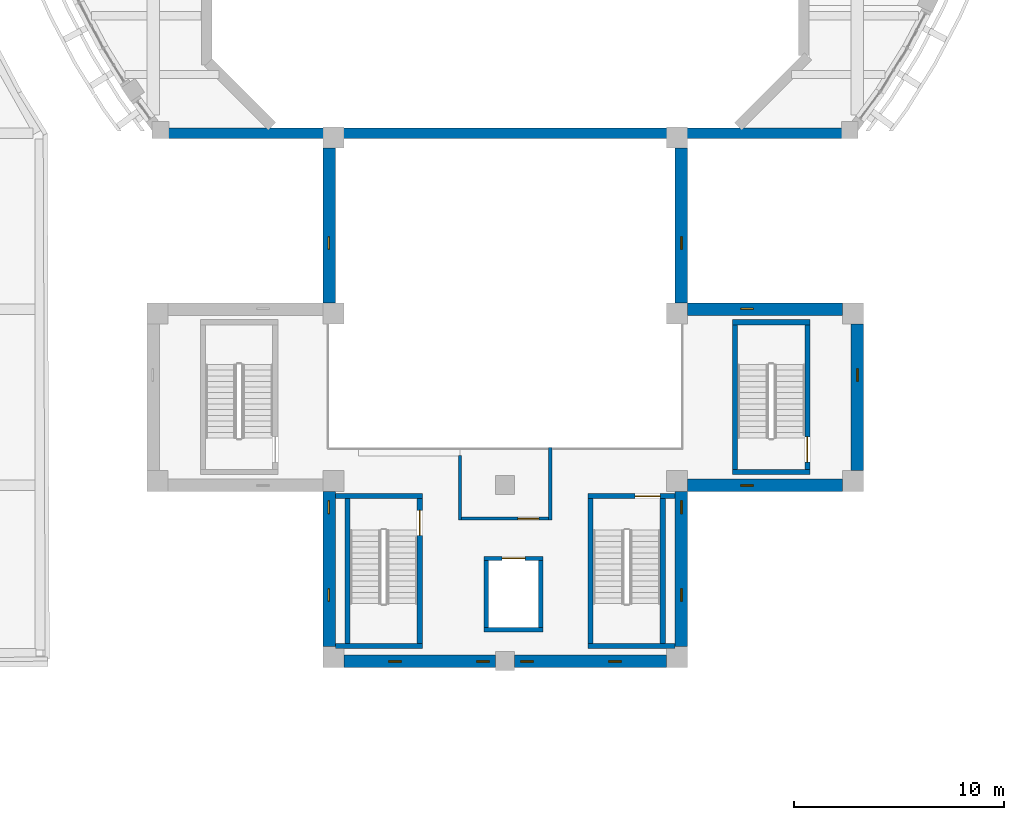
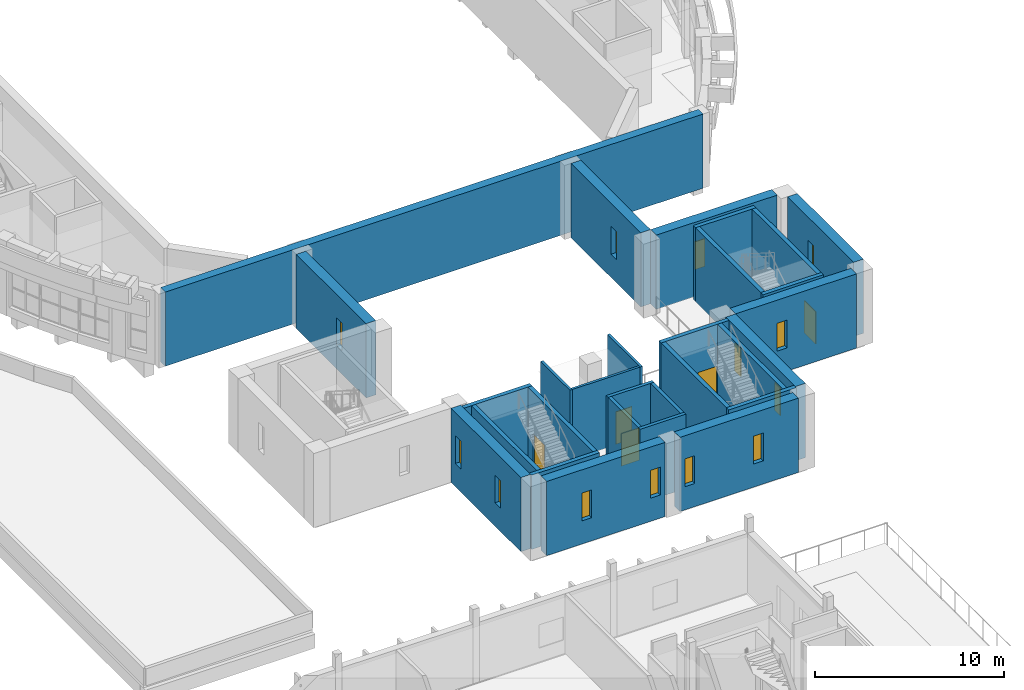
# One storey, part 13 of 79: 29 walls, 13 windows, 5 doors, 18 openings.
"""IFC4 building model written with IfcOpenShell, lengths in metres."""

from ifc_helpers import new_model, si_unit, direction, frame, frame_2d, origin, place, context, subcontext, project, spatial, rectangle, extrude, material, layer, layer_set, type_object, element, fill, save


model = new_model("IFC4")

# Units and contexts
model_context = context("Model", 3, precision=1e-05, world=origin(), true_north=direction((0.0, 1.0)))
body_context = subcontext(model_context, "Body", "Model", "MODEL_VIEW")
ifc_project = project(units=[si_unit("LENGTHUNIT", "METRE"), si_unit("AREAUNIT", "SQUARE_METRE"), si_unit("VOLUMEUNIT", "CUBIC_METRE"), si_unit("PLANEANGLEUNIT", "RADIAN"), si_unit("MASSUNIT", "GRAM", prefix="KILO")], contexts=[model_context])

# Site, building, storey
site_placement = place(None, origin())
site = spatial("IfcSite", under=ifc_project, at=site_placement, CompositionType="ELEMENT")
building_placement = place(site_placement, origin())
building = spatial("IfcBuilding", under=site, at=building_placement, Name="Larchfold Concert Hall", CompositionType="ELEMENT")
storey_placement = place(building_placement, frame((0.0, 0.0, 14.39990234375)))
storey = spatial("IfcBuildingStorey", under=building, at=storey_placement, Name="L03", CompositionType="ELEMENT", Elevation=14.39990234375)

# Walls
ifc_material_1 = material(Name="Plasterboard partition on steel studs", Category="steel")
ifc_layer_1 = layer(ifc_material_1, 0.14990234375)
ifc_layer_set_1 = layer_set([ifc_layer_1], Name="Plasterboard partition on steel studs")
wall_type_1 = type_object("IfcWallType", Name="Shaft and plant partition 150 EI 120", PredefinedType="PARTITIONING", material=ifc_layer_set_1)
wall_1_placement = place(storey_placement, frame((40.449951171875, 40.925048828125, 0.0), z_axis=(0.0, 0.0, 1.0), x_axis=(0.0, 1.0, 0.0)))
element("IfcWall", 1, at=wall_1_placement, inside=storey, type_object=wall_type_1, Name="Partition IW0010", PredefinedType="PARTITIONING", context=body_context, shape_type="SweptSolid", body=[
    extrude(rectangle(XDim=3.093994140625, YDim=0.14990234375, at=frame_2d((1.546875, 0.0))), origin(), (0.0, 0.0, 1.0), 4.52001953125),
])
wall_2_placement = place(storey_placement, frame((44.75, 44.39990234375, 0.0), z_axis=(0.0, 0.0, 1.0), x_axis=(0.0, -1.0, 0.0)))
element("IfcWall", 2, at=wall_2_placement, inside=storey, type_object=wall_type_1, Name="Partition IW0011", PredefinedType="PARTITIONING", context=body_context, shape_type="SweptSolid", body=[
    extrude(rectangle(XDim=3.474853515625, YDim=0.14990234375, at=frame_2d((1.7373046875, 0.0))), origin(), (0.0, 0.0, 1.0), 4.52001953125),
])

# Wall, opening, door
wall_3_placement = place(storey_placement, frame((44.675048828125, 41.0, 0.0), z_axis=(0.0, 0.0, 1.0), x_axis=(-1.0, 0.0, 0.0)))
wall_3 = element("IfcWall", 3, at=wall_3_placement, inside=storey, type_object=wall_type_1, Name="Partition IW0012", PredefinedType="PARTITIONING", context=body_context, shape_type="SweptSolid", body=[
    extrude(rectangle(XDim=4.150146484375, YDim=0.14990234375, at=frame_2d((2.0751953125, 0.0))), origin(), (0.0, 0.0, 1.0), 4.52001953125),
])
opening_1_placement = place(wall_3_placement, frame((0.465087890625, 0.0, 0.0)))
opening_1 = element("IfcOpeningElement", 4, at=opening_1_placement, cuts=wall_3, Name="Opening D-L03-106", PredefinedType="OPENING", context=body_context, shape_type="SweptSolid", body=[
    extrude(rectangle(XDim=1.0, YDim=2.10009765625, at=frame_2d((0.5, 1.050048828125))), frame((0.0, 0.0849609375, 0.0), z_axis=(0.0, -1.0, 0.0), x_axis=(1.0, 0.0, 0.0)), (0.0, 0.0, 1.0), 0.169921875),
])
ifc_material_2 = material(Name="Timber door leaf", Category="wood")
door_type_1 = type_object("IfcDoorType", Name="Store door 1000 x 2100 FD60", OperationType="SINGLE_SWING_LEFT", PredefinedType="DOOR", material=ifc_material_2)
door_1_placement = place(opening_1_placement, origin())
door_1 = element("IfcDoor", 5, at=door_1_placement, inside=storey, type_object=door_type_1, Name="Door D-L03-106", OperationType="SINGLE_SWING_RIGHT", OverallHeight=2.10009765625, OverallWidth=1.0, PredefinedType="DOOR", context=body_context, shape_type="SweptSolid", body=[
    extrude(rectangle(XDim=1.0, YDim=2.10009765625, at=frame_2d((0.5, 1.050048828125))), frame((0.0, 0.02490234375, 0.0), z_axis=(0.0, -1.0, 0.0), x_axis=(1.0, 0.0, 0.0)), (0.0, 0.0, 1.0), 0.050048828125),
])
fill(opening_1, door_1)

# Wall
ifc_material_3 = material(Name="Concrete C40/50", Category="concrete")
ifc_layer_2 = layer(ifc_material_3, 0.199951171875)
ifc_layer_set_2 = layer_set([ifc_layer_2], Name="Concrete C40/50")
wall_type_2 = type_object("IfcWallType", Name="Wall RC 200 lift shaft", PredefinedType="SOLIDWALL", material=ifc_layer_set_2)
wall_4_placement = place(storey_placement, frame((41.60009765625, 35.7001953125, 0.0), z_axis=(0.0, 0.0, 1.0), x_axis=(1.0, 0.0, 0.0)))
element("IfcWall", 6, at=wall_4_placement, inside=storey, type_object=wall_type_2, Name="Wall W0126", PredefinedType="SOLIDWALL", context=body_context, shape_type="SweptSolid", body=[
    extrude(rectangle(XDim=2.7998046875, YDim=0.199951171875, at=frame_2d((1.39990234375, 0.0))), origin(), (0.0, 0.0, 1.0), 4.800048828125),
])

# Wall, opening, door
wall_5_placement = place(storey_placement, frame((41.60009765625, 39.099853515625, 0.0), z_axis=(0.0, 0.0, 1.0), x_axis=(1.0, 0.0, 0.0)))
wall_5 = element("IfcWall", 7, at=wall_5_placement, inside=storey, type_object=wall_type_2, Name="Wall W0127", PredefinedType="SOLIDWALL", context=body_context, shape_type="SweptSolid", body=[
    extrude(rectangle(XDim=2.7998046875, YDim=0.199951171875, at=frame_2d((1.39990234375, 0.0))), origin(), (0.0, 0.0, 1.0), 4.800048828125),
])
opening_2_placement = place(wall_5_placement, frame((0.849853515625, 0.0, 0.0)))
opening_2 = element("IfcOpeningElement", 8, at=opening_2_placement, cuts=wall_5, Name="Opening LD-LF05", PredefinedType="OPENING", context=body_context, shape_type="SweptSolid", body=[
    extrude(rectangle(XDim=1.10009765625, YDim=2.10009765625, at=frame_2d((0.550048828125, 1.050048828125))), frame((0.0, 0.10986328125, 0.0), z_axis=(0.0, -1.0, 0.0), x_axis=(1.0, 0.0, 0.0)), (0.0, 0.0, 1.0), 0.219970703125),
])
ifc_material_4 = material(Name="Stainless steel sliding leaves", Category="steel")
door_type_2 = type_object("IfcDoorType", Name="Lift landing door sliding 1100 x 2100", OperationType="SLIDING_TO_LEFT", PredefinedType="DOOR", material=ifc_material_4)
door_2_placement = place(opening_2_placement, origin())
door_2 = element("IfcDoor", 9, at=door_2_placement, inside=storey, type_object=door_type_2, Name="Lift landing door LF05", OperationType="SLIDING_TO_LEFT", OverallHeight=2.10009765625, OverallWidth=1.10009765625, PredefinedType="DOOR", context=body_context, shape_type="SweptSolid", body=[
    extrude(rectangle(XDim=1.10009765625, YDim=2.10009765625, at=frame_2d((0.550048828125, 1.050048828125))), frame((0.0, 0.02490234375, 0.0), z_axis=(0.0, -1.0, 0.0), x_axis=(1.0, 0.0, 0.0)), (0.0, 0.0, 1.0), 0.050048828125),
])
fill(opening_2, door_2)

# Walls
for number, where, z_axis, x_axis, name in (
    (10, (41.7001953125, 35.800048828125, 0.0), (0.0, 0.0, 1.0), (0.0, 1.0, 0.0), "Wall W0128"),
    (11, (44.2998046875, 35.800048828125, 0.0), (0.0, 0.0, 1.0), (0.0, 1.0, 0.0), "Wall W0129"),
):
    element("IfcWall", number, at=place(storey_placement, frame(where, z_axis=z_axis, x_axis=x_axis)), inside=storey, type_object=wall_type_2, Name=name, PredefinedType="SOLIDWALL", context=body_context, shape_type="SweptSolid", body=[
        extrude(rectangle(XDim=3.199951171875, YDim=0.199951171875, at=frame_2d((1.60009765625, 0.0))), origin(), (0.0, 0.0, 1.0), 4.800048828125),
    ])
ifc_material_5 = material(Name="Concrete C40/50", Category="concrete")
ifc_layer_3 = layer(ifc_material_5, 0.25)
ifc_layer_set_3 = layer_set([ifc_layer_3], Name="Concrete C40/50")
wall_type_3 = type_object("IfcWallType", Name="Wall RC 250 stair core", PredefinedType="SOLIDWALL", material=ifc_layer_set_3)
for number, where, z_axis, x_axis, name in (
    (12, (53.449951171875, 43.22509765625, 0.0), (0.0, 0.0, 1.0), (1.0, 0.0, 0.0), "Wall W0066"),
    (13, (53.449951171875, 50.375, 0.0), (0.0, 0.0, 1.0), (1.0, 0.0, 0.0), "Wall W0067"),
):
    element("IfcWall", number, at=place(storey_placement, frame(where, z_axis=z_axis, x_axis=x_axis)), inside=storey, type_object=wall_type_3, Name=name, PredefinedType="SOLIDWALL", context=body_context, shape_type="SweptSolid", body=[
        extrude(rectangle(XDim=3.699951171875, YDim=0.25, at=frame_2d((1.85009765625, 0.0))), origin(), (0.0, 0.0, 1.0), 4.800048828125),
    ])
wall_6_placement = place(storey_placement, frame((53.574951171875, 43.35009765625, 0.0), z_axis=(0.0, 0.0, 1.0), x_axis=(0.0, 1.0, 0.0)))
element("IfcWall", 14, at=wall_6_placement, inside=storey, type_object=wall_type_3, Name="Wall W0068", PredefinedType="SOLIDWALL", context=body_context, shape_type="SweptSolid", body=[
    extrude(rectangle(XDim=6.89990234375, YDim=0.25, at=frame_2d((3.449951171875, 0.0))), origin(), (0.0, 0.0, 1.0), 4.800048828125),
])

# Wall, opening, door
wall_7_placement = place(storey_placement, frame((57.02490234375, 43.35009765625, 0.0), z_axis=(0.0, 0.0, 1.0), x_axis=(0.0, 1.0, 0.0)))
wall_7 = element("IfcWall", 15, at=wall_7_placement, inside=storey, type_object=wall_type_3, Name="Wall W0069", PredefinedType="SOLIDWALL", context=body_context, shape_type="SweptSolid", body=[
    extrude(rectangle(XDim=6.89990234375, YDim=0.25, at=frame_2d((3.449951171875, 0.0))), origin(), (0.0, 0.0, 1.0), 4.800048828125),
])
opening_3_placement = place(wall_7_placement, frame((0.35009765625, 0.0, 0.0)))
opening_3 = element("IfcOpeningElement", 16, at=opening_3_placement, cuts=wall_7, Name="Opening D-L03-140", PredefinedType="OPENING", context=body_context, shape_type="SweptSolid", body=[
    extrude(rectangle(XDim=1.199951171875, YDim=2.10009765625, at=frame_2d((0.60009765625, 1.050048828125))), frame((0.0, 0.135009765625, 0.0), z_axis=(0.0, -1.0, 0.0), x_axis=(1.0, 0.0, 0.0)), (0.0, 0.0, 1.0), 0.27001953125),
])
ifc_material_6 = material(Name="Timber door leaf", Category="wood")
door_type_3 = type_object("IfcDoorType", Name="Stair enclosure door pair 1200 x 2100 FD60", OperationType="SINGLE_SWING_LEFT", PredefinedType="DOOR", material=ifc_material_6)
door_3_placement = place(opening_3_placement, origin())
door_3 = element("IfcDoor", 17, at=door_3_placement, inside=storey, type_object=door_type_3, Name="Door D-L03-140", OperationType="DOUBLE_DOOR_SINGLE_SWING", OverallHeight=2.10009765625, OverallWidth=1.199951171875, PredefinedType="DOOR", context=body_context, shape_type="SweptSolid", body=[
    extrude(rectangle(XDim=1.199951171875, YDim=2.10009765625, at=frame_2d((0.60009765625, 1.050048828125))), frame((0.0, 0.02490234375, 0.0), z_axis=(0.0, -1.0, 0.0), x_axis=(1.0, 0.0, 0.0)), (0.0, 0.0, 1.0), 0.050048828125),
])
fill(opening_3, door_3)

# Walls
for number, where, z_axis, x_axis, name in (
    (18, (34.5, 34.925048828125, 0.0), (0.0, 0.0, 1.0), (1.0, 0.0, 0.0), "Wall W0070"),
    (19, (34.5, 42.074951171875, 0.0), (0.0, 0.0, 1.0), (1.0, 0.0, 0.0), "Wall W0071"),
):
    element("IfcWall", number, at=place(storey_placement, frame(where, z_axis=z_axis, x_axis=x_axis)), inside=storey, type_object=wall_type_3, Name=name, PredefinedType="SOLIDWALL", context=body_context, shape_type="SweptSolid", body=[
        extrude(rectangle(XDim=4.14990234375, YDim=0.25, at=frame_2d((2.074951171875, 0.0))), origin(), (0.0, 0.0, 1.0), 4.800048828125),
    ])
wall_8_placement = place(storey_placement, frame((35.074951171875, 35.050048828125, 0.0), z_axis=(0.0, 0.0, 1.0), x_axis=(0.0, 1.0, 0.0)))
element("IfcWall", 20, at=wall_8_placement, inside=storey, type_object=wall_type_3, Name="Wall W0072", PredefinedType="SOLIDWALL", context=body_context, shape_type="SweptSolid", body=[
    extrude(rectangle(XDim=6.89990234375, YDim=0.25, at=frame_2d((3.449951171875, 0.0))), origin(), (0.0, 0.0, 1.0), 4.800048828125),
])

# Wall, opening, door
wall_9_placement = place(storey_placement, frame((38.52490234375, 35.050048828125, 0.0), z_axis=(0.0, 0.0, 1.0), x_axis=(0.0, 1.0, 0.0)))
wall_9 = element("IfcWall", 21, at=wall_9_placement, inside=storey, type_object=wall_type_3, Name="Wall W0073", PredefinedType="SOLIDWALL", context=body_context, shape_type="SweptSolid", body=[
    extrude(rectangle(XDim=6.89990234375, YDim=0.25, at=frame_2d((3.449951171875, 0.0))), origin(), (0.0, 0.0, 1.0), 4.800048828125),
])
opening_4_placement = place(wall_9_placement, frame((5.14990234375, 0.0, 0.0)))
opening_4 = element("IfcOpeningElement", 22, at=opening_4_placement, cuts=wall_9, Name="Opening D-L03-137", PredefinedType="OPENING", context=body_context, shape_type="SweptSolid", body=[
    extrude(rectangle(XDim=1.199951171875, YDim=2.10009765625, at=frame_2d((0.60009765625, 1.050048828125))), frame((0.0, 0.135009765625, 0.0), z_axis=(0.0, -1.0, 0.0), x_axis=(1.0, 0.0, 0.0)), (0.0, 0.0, 1.0), 0.27001953125),
])
door_4_placement = place(opening_4_placement, origin())
door_4 = element("IfcDoor", 23, at=door_4_placement, inside=storey, type_object=door_type_3, Name="Door D-L03-137", OperationType="DOUBLE_DOOR_SINGLE_SWING", OverallHeight=2.10009765625, OverallWidth=1.199951171875, PredefinedType="DOOR", context=body_context, shape_type="SweptSolid", body=[
    extrude(rectangle(XDim=1.199951171875, YDim=2.10009765625, at=frame_2d((0.60009765625, 1.050048828125))), frame((0.0, 0.02490234375, 0.0), z_axis=(0.0, -1.0, 0.0), x_axis=(1.0, 0.0, 0.0)), (0.0, 0.0, 1.0), 0.050048828125),
])
fill(opening_4, door_4)

# Wall
wall_10_placement = place(storey_placement, frame((46.550048828125, 34.925048828125, 0.0), z_axis=(0.0, 0.0, 1.0), x_axis=(1.0, 0.0, 0.0)))
element("IfcWall", 24, at=wall_10_placement, inside=storey, type_object=wall_type_3, Name="Wall W0074", PredefinedType="SOLIDWALL", context=body_context, shape_type="SweptSolid", body=[
    extrude(rectangle(XDim=4.14990234375, YDim=0.25, at=frame_2d((2.074951171875, 0.0))), origin(), (0.0, 0.0, 1.0), 4.800048828125),
])

# Wall, opening, door
wall_11_placement = place(storey_placement, frame((46.550048828125, 42.074951171875, 0.0), z_axis=(0.0, 0.0, 1.0), x_axis=(1.0, 0.0, 0.0)))
wall_11 = element("IfcWall", 25, at=wall_11_placement, inside=storey, type_object=wall_type_3, Name="Wall W0075", PredefinedType="SOLIDWALL", context=body_context, shape_type="SweptSolid", body=[
    extrude(rectangle(XDim=4.14990234375, YDim=0.25, at=frame_2d((2.074951171875, 0.0))), origin(), (0.0, 0.0, 1.0), 4.800048828125),
])
opening_5_placement = place(wall_11_placement, frame((2.25, 0.0, 0.0)))
opening_5 = element("IfcOpeningElement", 26, at=opening_5_placement, cuts=wall_11, Name="Opening D-L03-138", PredefinedType="OPENING", context=body_context, shape_type="SweptSolid", body=[
    extrude(rectangle(XDim=1.199951171875, YDim=2.10009765625, at=frame_2d((0.60009765625, 1.050048828125))), frame((0.0, 0.135009765625, 0.0), z_axis=(0.0, -1.0, 0.0), x_axis=(1.0, 0.0, 0.0)), (0.0, 0.0, 1.0), 0.27001953125),
])
door_5_placement = place(opening_5_placement, origin())
door_5 = element("IfcDoor", 27, at=door_5_placement, inside=storey, type_object=door_type_3, Name="Door D-L03-138", OperationType="DOUBLE_DOOR_SINGLE_SWING", OverallHeight=2.10009765625, OverallWidth=1.199951171875, PredefinedType="DOOR", context=body_context, shape_type="SweptSolid", body=[
    extrude(rectangle(XDim=1.199951171875, YDim=2.10009765625, at=frame_2d((0.60009765625, 1.050048828125))), frame((0.0, 0.02490234375, 0.0), z_axis=(0.0, -1.0, 0.0), x_axis=(1.0, 0.0, 0.0)), (0.0, 0.0, 1.0), 0.050048828125),
])
fill(opening_5, door_5)

# Walls
for number, where, z_axis, x_axis, name in (
    (28, (46.675048828125, 35.050048828125, 0.0), (0.0, 0.0, 1.0), (0.0, 1.0, 0.0), "Wall W0076"),
    (29, (50.125, 35.050048828125, 0.0), (0.0, 0.0, 1.0), (0.0, 1.0, 0.0), "Wall W0077"),
):
    element("IfcWall", number, at=place(storey_placement, frame(where, z_axis=z_axis, x_axis=x_axis)), inside=storey, type_object=wall_type_3, Name=name, PredefinedType="SOLIDWALL", context=body_context, shape_type="SweptSolid", body=[
        extrude(rectangle(XDim=6.89990234375, YDim=0.25, at=frame_2d((3.449951171875, 0.0))), origin(), (0.0, 0.0, 1.0), 4.800048828125),
    ])
ifc_material_7 = material(Name="Concrete C30/37", Category="concrete")
ifc_layer_4 = layer(ifc_material_7, 0.5)
ifc_layer_set_4 = layer_set([ifc_layer_4], Name="Concrete C30/37")
wall_type_4 = type_object("IfcWallType", Name="Wall RC 500 drum facade", PredefinedType="SOLIDWALL", material=ifc_layer_set_4)
wall_12_placement = place(storey_placement, frame((26.153076171875, 59.39990234375, 0.0), z_axis=(0.0, 0.0, 1.0), x_axis=(1.0, 0.0, 0.0)))
element("IfcWall", 30, at=wall_12_placement, inside=storey, type_object=wall_type_4, Name="Wall DW050", PredefinedType="SOLIDWALL", context=body_context, shape_type="SweptSolid", body=[
    extrude(rectangle(XDim=32.89404296875, YDim=0.5, at=frame_2d((16.447021484375, 0.0))), origin(), (0.0, 0.0, 1.0), 4.800048828125),
])

# Wall, opening, window
ifc_material_8 = material(Name="Concrete C40/50", Category="concrete")
ifc_layer_5 = layer(ifc_material_8, 0.60009765625)
ifc_layer_set_5 = layer_set([ifc_layer_5], Name="Concrete C40/50")
wall_type_5 = type_object("IfcWallType", Name="Wall RC 600 stage house", PredefinedType="SOLIDWALL", material=ifc_layer_set_5)
wall_13_placement = place(storey_placement, frame((51.300048828125, 42.60009765625, 0.0), z_axis=(0.0, 0.0, 1.0), x_axis=(1.0, 0.0, 0.0)))
wall_13 = element("IfcWall", 31, at=wall_13_placement, inside=storey, type_object=wall_type_5, Name="Wall W0008", PredefinedType="SOLIDWALL", context=body_context, shape_type="SweptSolid", body=[
    extrude(rectangle(XDim=7.39990234375, YDim=0.60009765625, at=frame_2d((3.699951171875, 0.0))), origin(), (0.0, 0.0, 1.0), 4.800048828125),
])
opening_6_placement = place(wall_13_placement, frame((2.550048828125, 0.0, 1.5)))
opening_6 = element("IfcOpeningElement", 32, at=opening_6_placement, cuts=wall_13, Name="Opening WN-L03-001", PredefinedType="OPENING", context=body_context, shape_type="SweptSolid", body=[
    extrude(rectangle(XDim=0.60009765625, YDim=1.800048828125, at=frame_2d((0.300048828125, 0.89990234375))), frame((0.0, 0.31005859375, 0.0), z_axis=(0.0, -1.0, 0.0), x_axis=(1.0, 0.0, 0.0)), (0.0, 0.0, 1.0), 0.6201171875),
])
ifc_material_9 = material(Name="Anodised graphite aluminium frame with glass", Category="aluminium")
window_type = type_object("IfcWindowType", Name="Gallery slit window 600x1800", PartitioningType="SINGLE_PANEL", PredefinedType="WINDOW", material=ifc_material_9)
window_1_placement = place(opening_6_placement, origin())
window_1 = element("IfcWindow", 33, at=window_1_placement, inside=storey, type_object=window_type, Name="Window WN-L03-001", OverallHeight=1.800048828125, OverallWidth=0.60009765625, PartitioningType="SINGLE_PANEL", PredefinedType="WINDOW", context=body_context, shape_type="SweptSolid", body=[
    extrude(rectangle(XDim=0.60009765625, YDim=1.800048828125, at=frame_2d((0.300048828125, 0.89990234375))), frame((0.0, 0.010009765625, 0.0), z_axis=(0.0, -1.0, 0.0), x_axis=(1.0, 0.0, 0.0)), (0.0, 0.0, 1.0), 0.06005859375),
])
fill(opening_6, window_1)

wall_14_placement = place(storey_placement, frame((59.39990234375, 43.300048828125, 0.0), z_axis=(0.0, 0.0, 1.0), x_axis=(0.0, 1.0, 0.0)))
wall_14 = element("IfcWall", 34, at=wall_14_placement, inside=storey, type_object=wall_type_5, Name="Wall W0009", PredefinedType="SOLIDWALL", context=body_context, shape_type="SweptSolid", body=[
    extrude(rectangle(XDim=7.0, YDim=0.60009765625, at=frame_2d((3.5, 0.0))), origin(), (0.0, 0.0, 1.0), 4.800048828125),
])
opening_7_placement = place(wall_14_placement, frame((4.25, 0.0, 1.5)))
opening_7 = element("IfcOpeningElement", 35, at=opening_7_placement, cuts=wall_14, Name="Opening WN-L03-002", PredefinedType="OPENING", context=body_context, shape_type="SweptSolid", body=[
    extrude(rectangle(XDim=0.60009765625, YDim=1.800048828125, at=frame_2d((0.300048828125, 0.89990234375))), frame((0.0, 0.31005859375, 0.0), z_axis=(0.0, -1.0, 0.0), x_axis=(1.0, 0.0, 0.0)), (0.0, 0.0, 1.0), 0.6201171875),
])
window_2_placement = place(opening_7_placement, origin())
window_2 = element("IfcWindow", 36, at=window_2_placement, inside=storey, type_object=window_type, Name="Window WN-L03-002", OverallHeight=1.800048828125, OverallWidth=0.60009765625, PartitioningType="SINGLE_PANEL", PredefinedType="WINDOW", context=body_context, shape_type="SweptSolid", body=[
    extrude(rectangle(XDim=0.60009765625, YDim=1.800048828125, at=frame_2d((0.300048828125, 0.89990234375))), frame((0.0, 0.010009765625, 0.0), z_axis=(0.0, -1.0, 0.0), x_axis=(1.0, 0.0, 0.0)), (0.0, 0.0, 1.0), 0.06005859375),
])
fill(opening_7, window_2)

wall_15_placement = place(storey_placement, frame((58.699951171875, 51.0, 0.0), z_axis=(0.0, 0.0, 1.0), x_axis=(-1.0, 0.0, 0.0)))
wall_15 = element("IfcWall", 37, at=wall_15_placement, inside=storey, type_object=wall_type_5, Name="Wall W0010", PredefinedType="SOLIDWALL", context=body_context, shape_type="SweptSolid", body=[
    extrude(rectangle(XDim=7.39990234375, YDim=0.60009765625, at=frame_2d((3.699951171875, 0.0))), origin(), (0.0, 0.0, 1.0), 4.800048828125),
])
opening_8_placement = place(wall_15_placement, frame((4.25, 0.0, 1.5)))
opening_8 = element("IfcOpeningElement", 38, at=opening_8_placement, cuts=wall_15, Name="Opening WN-L03-003", PredefinedType="OPENING", context=body_context, shape_type="SweptSolid", body=[
    extrude(rectangle(XDim=0.60009765625, YDim=1.800048828125, at=frame_2d((0.300048828125, 0.89990234375))), frame((0.0, 0.31005859375, 0.0), z_axis=(0.0, -1.0, 0.0), x_axis=(1.0, 0.0, 0.0)), (0.0, 0.0, 1.0), 0.6201171875),
])
window_3_placement = place(opening_8_placement, origin())
window_3 = element("IfcWindow", 39, at=window_3_placement, inside=storey, type_object=window_type, Name="Window WN-L03-003", OverallHeight=1.800048828125, OverallWidth=0.60009765625, PartitioningType="SINGLE_PANEL", PredefinedType="WINDOW", context=body_context, shape_type="SweptSolid", body=[
    extrude(rectangle(XDim=0.60009765625, YDim=1.800048828125, at=frame_2d((0.300048828125, 0.89990234375))), frame((0.0, 0.010009765625, 0.0), z_axis=(0.0, -1.0, 0.0), x_axis=(1.0, 0.0, 0.0)), (0.0, 0.0, 1.0), 0.06005859375),
])
fill(opening_8, window_3)

wall_16_placement = place(storey_placement, frame((51.0, 51.300048828125, 0.0), z_axis=(0.0, 0.0, 1.0), x_axis=(0.0, 1.0, 0.0)))
wall_16 = element("IfcWall", 40, at=wall_16_placement, inside=storey, type_object=wall_type_5, Name="Wall W0011", PredefinedType="SOLIDWALL", context=body_context, shape_type="SweptSolid", body=[
    extrude(rectangle(XDim=7.39990234375, YDim=0.60009765625, at=frame_2d((3.699951171875, 0.0))), origin(), (0.0, 0.0, 1.0), 4.800048828125),
])
opening_9_placement = place(wall_16_placement, frame((2.550048828125, 0.0, 1.5)))
opening_9 = element("IfcOpeningElement", 41, at=opening_9_placement, cuts=wall_16, Name="Opening WN-L03-004", PredefinedType="OPENING", context=body_context, shape_type="SweptSolid", body=[
    extrude(rectangle(XDim=0.60009765625, YDim=1.800048828125, at=frame_2d((0.300048828125, 0.89990234375))), frame((0.0, 0.31005859375, 0.0), z_axis=(0.0, -1.0, 0.0), x_axis=(1.0, 0.0, 0.0)), (0.0, 0.0, 1.0), 0.6201171875),
])
window_4_placement = place(opening_9_placement, origin())
window_4 = element("IfcWindow", 42, at=window_4_placement, inside=storey, type_object=window_type, Name="Window WN-L03-004", OverallHeight=1.800048828125, OverallWidth=0.60009765625, PartitioningType="SINGLE_PANEL", PredefinedType="WINDOW", context=body_context, shape_type="SweptSolid", body=[
    extrude(rectangle(XDim=0.60009765625, YDim=1.800048828125, at=frame_2d((0.300048828125, 0.89990234375))), frame((0.0, 0.010009765625, 0.0), z_axis=(0.0, -1.0, 0.0), x_axis=(1.0, 0.0, 0.0)), (0.0, 0.0, 1.0), 0.06005859375),
])
fill(opening_9, window_4)

wall_17_placement = place(storey_placement, frame((34.199951171875, 58.699951171875, 0.0), z_axis=(0.0, 0.0, 1.0), x_axis=(0.0, -1.0, 0.0)))
wall_17 = element("IfcWall", 43, at=wall_17_placement, inside=storey, type_object=wall_type_5, Name="Wall W0012", PredefinedType="SOLIDWALL", context=body_context, shape_type="SweptSolid", body=[
    extrude(rectangle(XDim=7.39990234375, YDim=0.60009765625, at=frame_2d((3.699951171875, 0.0))), origin(), (0.0, 0.0, 1.0), 4.800048828125),
])
opening_10_placement = place(wall_17_placement, frame((4.25, 0.0, 1.5)))
opening_10 = element("IfcOpeningElement", 44, at=opening_10_placement, cuts=wall_17, Name="Opening WN-L03-005", PredefinedType="OPENING", context=body_context, shape_type="SweptSolid", body=[
    extrude(rectangle(XDim=0.60009765625, YDim=1.800048828125, at=frame_2d((0.300048828125, 0.89990234375))), frame((0.0, 0.31005859375, 0.0), z_axis=(0.0, -1.0, 0.0), x_axis=(1.0, 0.0, 0.0)), (0.0, 0.0, 1.0), 0.6201171875),
])
window_5_placement = place(opening_10_placement, origin())
window_5 = element("IfcWindow", 45, at=window_5_placement, inside=storey, type_object=window_type, Name="Window WN-L03-005", OverallHeight=1.800048828125, OverallWidth=0.60009765625, PartitioningType="SINGLE_PANEL", PredefinedType="WINDOW", context=body_context, shape_type="SweptSolid", body=[
    extrude(rectangle(XDim=0.60009765625, YDim=1.800048828125, at=frame_2d((0.300048828125, 0.89990234375))), frame((0.0, 0.010009765625, 0.0), z_axis=(0.0, -1.0, 0.0), x_axis=(1.0, 0.0, 0.0)), (0.0, 0.0, 1.0), 0.06005859375),
])
fill(opening_10, window_5)

# Wall, openings, windows
wall_18_placement = place(storey_placement, frame((34.199951171875, 42.300048828125, 0.0), z_axis=(0.0, 0.0, 1.0), x_axis=(0.0, -1.0, 0.0)))
wall_18 = element("IfcWall", 46, at=wall_18_placement, inside=storey, type_object=wall_type_5, Name="Wall W0016", PredefinedType="SOLIDWALL", context=body_context, shape_type="SweptSolid", body=[
    extrude(rectangle(XDim=7.400146484375, YDim=0.60009765625, at=frame_2d((3.7001953125, 0.0))), origin(), (0.0, 0.0, 1.0), 4.800048828125),
])
opening_11_placement = place(wall_18_placement, frame((4.650146484375, 0.0, 1.5)))
opening_11 = element("IfcOpeningElement", 47, at=opening_11_placement, cuts=wall_18, Name="Opening WN-L03-009", PredefinedType="OPENING", context=body_context, shape_type="SweptSolid", body=[
    extrude(rectangle(XDim=0.60009765625, YDim=1.800048828125, at=frame_2d((0.300048828125, 0.89990234375))), frame((0.0, 0.31005859375, 0.0), z_axis=(0.0, -1.0, 0.0), x_axis=(1.0, 0.0, 0.0)), (0.0, 0.0, 1.0), 0.6201171875),
])
opening_12_placement = place(wall_18_placement, frame((0.454833984375, 0.0, 1.5)))
opening_12 = element("IfcOpeningElement", 48, at=opening_12_placement, cuts=wall_18, Name="Opening WN-L03-010", PredefinedType="OPENING", context=body_context, shape_type="SweptSolid", body=[
    extrude(rectangle(XDim=0.60009765625, YDim=1.800048828125, at=frame_2d((0.300048828125, 0.89990234375))), frame((0.0, 0.31005859375, 0.0), z_axis=(0.0, -1.0, 0.0), x_axis=(1.0, 0.0, 0.0)), (0.0, 0.0, 1.0), 0.6201171875),
])
window_6_placement = place(opening_11_placement, origin())
window_6 = element("IfcWindow", 49, at=window_6_placement, inside=storey, type_object=window_type, Name="Window WN-L03-009", OverallHeight=1.800048828125, OverallWidth=0.60009765625, PartitioningType="SINGLE_PANEL", PredefinedType="WINDOW", context=body_context, shape_type="SweptSolid", body=[
    extrude(rectangle(XDim=0.60009765625, YDim=1.800048828125, at=frame_2d((0.300048828125, 0.89990234375))), frame((0.0, 0.010009765625, 0.0), z_axis=(0.0, -1.0, 0.0), x_axis=(1.0, 0.0, 0.0)), (0.0, 0.0, 1.0), 0.06005859375),
])
fill(opening_11, window_6)
window_7_placement = place(opening_12_placement, origin())
window_7 = element("IfcWindow", 50, at=window_7_placement, inside=storey, type_object=window_type, Name="Window WN-L03-010", OverallHeight=1.800048828125, OverallWidth=0.60009765625, PartitioningType="SINGLE_PANEL", PredefinedType="WINDOW", context=body_context, shape_type="SweptSolid", body=[
    extrude(rectangle(XDim=0.60009765625, YDim=1.800048828125, at=frame_2d((0.300048828125, 0.89990234375))), frame((0.0, 0.010009765625, 0.0), z_axis=(0.0, -1.0, 0.0), x_axis=(1.0, 0.0, 0.0)), (0.0, 0.0, 1.0), 0.06005859375),
])
fill(opening_12, window_7)

wall_19_placement = place(storey_placement, frame((34.89990234375, 34.199951171875, 0.0), z_axis=(0.0, 0.0, 1.0), x_axis=(1.0, 0.0, 0.0)))
wall_19 = element("IfcWall", 51, at=wall_19_placement, inside=storey, type_object=wall_type_5, Name="Wall W0017", PredefinedType="SOLIDWALL", context=body_context, shape_type="SweptSolid", body=[
    extrude(rectangle(XDim=7.250244140625, YDim=0.60009765625, at=frame_2d((3.625, 0.0))), origin(), (0.0, 0.0, 1.0), 4.800048828125),
])
opening_13_placement = place(wall_19_placement, frame((2.150146484375, 0.0, 1.5)))
opening_13 = element("IfcOpeningElement", 52, at=opening_13_placement, cuts=wall_19, Name="Opening WN-L03-011", PredefinedType="OPENING", context=body_context, shape_type="SweptSolid", body=[
    extrude(rectangle(XDim=0.60009765625, YDim=1.800048828125, at=frame_2d((0.300048828125, 0.89990234375))), frame((0.0, 0.31005859375, 0.0), z_axis=(0.0, -1.0, 0.0), x_axis=(1.0, 0.0, 0.0)), (0.0, 0.0, 1.0), 0.6201171875),
])
opening_14_placement = place(wall_19_placement, frame((6.35009765625, 0.0, 1.5)))
opening_14 = element("IfcOpeningElement", 53, at=opening_14_placement, cuts=wall_19, Name="Opening WN-L03-012", PredefinedType="OPENING", context=body_context, shape_type="SweptSolid", body=[
    extrude(rectangle(XDim=0.60009765625, YDim=1.800048828125, at=frame_2d((0.300048828125, 0.89990234375))), frame((0.0, 0.31005859375, 0.0), z_axis=(0.0, -1.0, 0.0), x_axis=(1.0, 0.0, 0.0)), (0.0, 0.0, 1.0), 0.6201171875),
])
window_8_placement = place(opening_13_placement, origin())
window_8 = element("IfcWindow", 54, at=window_8_placement, inside=storey, type_object=window_type, Name="Window WN-L03-011", OverallHeight=1.800048828125, OverallWidth=0.60009765625, PartitioningType="SINGLE_PANEL", PredefinedType="WINDOW", context=body_context, shape_type="SweptSolid", body=[
    extrude(rectangle(XDim=0.60009765625, YDim=1.800048828125, at=frame_2d((0.300048828125, 0.89990234375))), frame((0.0, 0.010009765625, 0.0), z_axis=(0.0, -1.0, 0.0), x_axis=(1.0, 0.0, 0.0)), (0.0, 0.0, 1.0), 0.06005859375),
])
fill(opening_13, window_8)
window_9_placement = place(opening_14_placement, origin())
window_9 = element("IfcWindow", 55, at=window_9_placement, inside=storey, type_object=window_type, Name="Window WN-L03-012", OverallHeight=1.800048828125, OverallWidth=0.60009765625, PartitioningType="SINGLE_PANEL", PredefinedType="WINDOW", context=body_context, shape_type="SweptSolid", body=[
    extrude(rectangle(XDim=0.60009765625, YDim=1.800048828125, at=frame_2d((0.300048828125, 0.89990234375))), frame((0.0, 0.010009765625, 0.0), z_axis=(0.0, -1.0, 0.0), x_axis=(1.0, 0.0, 0.0)), (0.0, 0.0, 1.0), 0.06005859375),
])
fill(opening_14, window_9)

wall_20_placement = place(storey_placement, frame((43.050048828125, 34.199951171875, 0.0), z_axis=(0.0, 0.0, 1.0), x_axis=(1.0, 0.0, 0.0)))
wall_20 = element("IfcWall", 56, at=wall_20_placement, inside=storey, type_object=wall_type_5, Name="Wall W0018", PredefinedType="SOLIDWALL", context=body_context, shape_type="SweptSolid", body=[
    extrude(rectangle(XDim=7.25, YDim=0.60009765625, at=frame_2d((3.625, 0.0))), origin(), (0.0, 0.0, 1.0), 4.800048828125),
])
opening_15_placement = place(wall_20_placement, frame((0.300048828125, 0.0, 1.5)))
opening_15 = element("IfcOpeningElement", 57, at=opening_15_placement, cuts=wall_20, Name="Opening WN-L03-013", PredefinedType="OPENING", context=body_context, shape_type="SweptSolid", body=[
    extrude(rectangle(XDim=0.60009765625, YDim=1.800048828125, at=frame_2d((0.300048828125, 0.89990234375))), frame((0.0, 0.31005859375, 0.0), z_axis=(0.0, -1.0, 0.0), x_axis=(1.0, 0.0, 0.0)), (0.0, 0.0, 1.0), 0.6201171875),
])
opening_16_placement = place(wall_20_placement, frame((4.5, 0.0, 1.5)))
opening_16 = element("IfcOpeningElement", 58, at=opening_16_placement, cuts=wall_20, Name="Opening WN-L03-014", PredefinedType="OPENING", context=body_context, shape_type="SweptSolid", body=[
    extrude(rectangle(XDim=0.60009765625, YDim=1.800048828125, at=frame_2d((0.300048828125, 0.89990234375))), frame((0.0, 0.31005859375, 0.0), z_axis=(0.0, -1.0, 0.0), x_axis=(1.0, 0.0, 0.0)), (0.0, 0.0, 1.0), 0.6201171875),
])
window_10_placement = place(opening_15_placement, origin())
window_10 = element("IfcWindow", 59, at=window_10_placement, inside=storey, type_object=window_type, Name="Window WN-L03-013", OverallHeight=1.800048828125, OverallWidth=0.60009765625, PartitioningType="SINGLE_PANEL", PredefinedType="WINDOW", context=body_context, shape_type="SweptSolid", body=[
    extrude(rectangle(XDim=0.60009765625, YDim=1.800048828125, at=frame_2d((0.300048828125, 0.89990234375))), frame((0.0, 0.010009765625, 0.0), z_axis=(0.0, -1.0, 0.0), x_axis=(1.0, 0.0, 0.0)), (0.0, 0.0, 1.0), 0.06005859375),
])
fill(opening_15, window_10)
window_11_placement = place(opening_16_placement, origin())
window_11 = element("IfcWindow", 60, at=window_11_placement, inside=storey, type_object=window_type, Name="Window WN-L03-014", OverallHeight=1.800048828125, OverallWidth=0.60009765625, PartitioningType="SINGLE_PANEL", PredefinedType="WINDOW", context=body_context, shape_type="SweptSolid", body=[
    extrude(rectangle(XDim=0.60009765625, YDim=1.800048828125, at=frame_2d((0.300048828125, 0.89990234375))), frame((0.0, 0.010009765625, 0.0), z_axis=(0.0, -1.0, 0.0), x_axis=(1.0, 0.0, 0.0)), (0.0, 0.0, 1.0), 0.06005859375),
])
fill(opening_16, window_11)

wall_21_placement = place(storey_placement, frame((51.0, 34.89990234375, 0.0), z_axis=(0.0, 0.0, 1.0), x_axis=(0.0, 1.0, 0.0)))
wall_21 = element("IfcWall", 61, at=wall_21_placement, inside=storey, type_object=wall_type_5, Name="Wall W0019", PredefinedType="SOLIDWALL", context=body_context, shape_type="SweptSolid", body=[
    extrude(rectangle(XDim=7.400146484375, YDim=0.60009765625, at=frame_2d((3.7001953125, 0.0))), origin(), (0.0, 0.0, 1.0), 4.800048828125),
])
opening_17_placement = place(wall_21_placement, frame((2.150146484375, 0.0, 1.5)))
opening_17 = element("IfcOpeningElement", 62, at=opening_17_placement, cuts=wall_21, Name="Opening WN-L03-015", PredefinedType="OPENING", context=body_context, shape_type="SweptSolid", body=[
    extrude(rectangle(XDim=0.60009765625, YDim=1.800048828125, at=frame_2d((0.300048828125, 0.89990234375))), frame((0.0, 0.31005859375, 0.0), z_axis=(0.0, -1.0, 0.0), x_axis=(1.0, 0.0, 0.0)), (0.0, 0.0, 1.0), 0.6201171875),
])
opening_18_placement = place(wall_21_placement, frame((6.34521484375, 0.0, 1.5)))
opening_18 = element("IfcOpeningElement", 63, at=opening_18_placement, cuts=wall_21, Name="Opening WN-L03-016", PredefinedType="OPENING", context=body_context, shape_type="SweptSolid", body=[
    extrude(rectangle(XDim=0.60009765625, YDim=1.800048828125, at=frame_2d((0.300048828125, 0.89990234375))), frame((0.0, 0.31005859375, 0.0), z_axis=(0.0, -1.0, 0.0), x_axis=(1.0, 0.0, 0.0)), (0.0, 0.0, 1.0), 0.6201171875),
])
window_12_placement = place(opening_17_placement, origin())
window_12 = element("IfcWindow", 64, at=window_12_placement, inside=storey, type_object=window_type, Name="Window WN-L03-015", OverallHeight=1.800048828125, OverallWidth=0.60009765625, PartitioningType="SINGLE_PANEL", PredefinedType="WINDOW", context=body_context, shape_type="SweptSolid", body=[
    extrude(rectangle(XDim=0.60009765625, YDim=1.800048828125, at=frame_2d((0.300048828125, 0.89990234375))), frame((0.0, 0.010009765625, 0.0), z_axis=(0.0, -1.0, 0.0), x_axis=(1.0, 0.0, 0.0)), (0.0, 0.0, 1.0), 0.06005859375),
])
fill(opening_17, window_12)
window_13_placement = place(opening_18_placement, origin())
window_13 = element("IfcWindow", 65, at=window_13_placement, inside=storey, type_object=window_type, Name="Window WN-L03-016", OverallHeight=1.800048828125, OverallWidth=0.60009765625, PartitioningType="SINGLE_PANEL", PredefinedType="WINDOW", context=body_context, shape_type="SweptSolid", body=[
    extrude(rectangle(XDim=0.60009765625, YDim=1.800048828125, at=frame_2d((0.300048828125, 0.89990234375))), frame((0.0, 0.010009765625, 0.0), z_axis=(0.0, -1.0, 0.0), x_axis=(1.0, 0.0, 0.0)), (0.0, 0.0, 1.0), 0.06005859375),
])
fill(opening_18, window_13)

save(model, "model.ifc")
